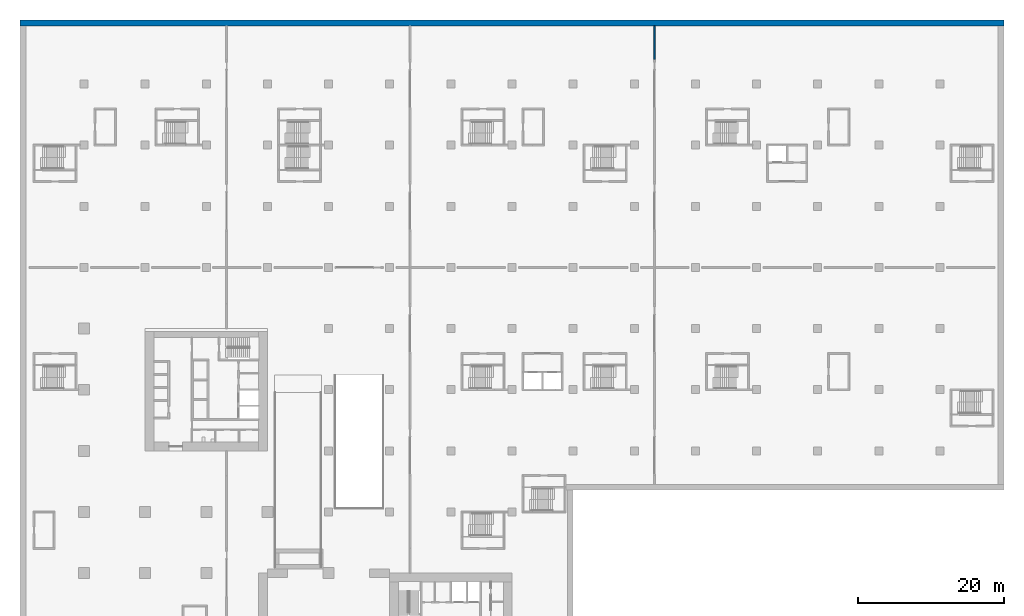
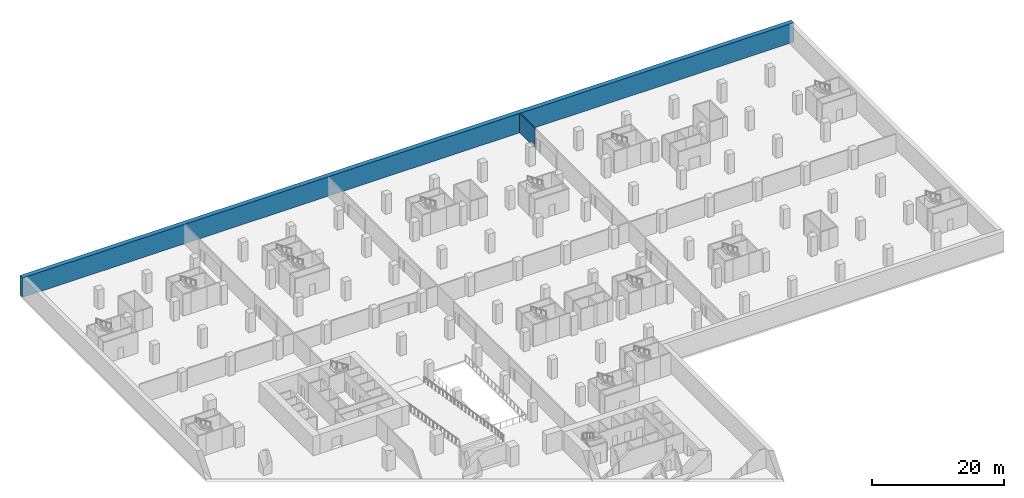
# One storey, part 12 of 18: 2 walls.
"""IFC4 building model written with IfcOpenShell, lengths in metres."""

from ifc_helpers import new_model, si_unit, direction, frame, frame_2d, origin, place, context, subcontext, project, spatial, rectangle, extrude, material, layer, layer_set, type_object, element, save


model = new_model("IFC4")

# Units and contexts
model_context = context("Model", 3, precision=1e-05, world=origin(), true_north=direction((0.0, 1.0)))
body_context = subcontext(model_context, "Body", "Model", "MODEL_VIEW")
ifc_project = project(units=[si_unit("LENGTHUNIT", "METRE"), si_unit("AREAUNIT", "SQUARE_METRE"), si_unit("VOLUMEUNIT", "CUBIC_METRE"), si_unit("PLANEANGLEUNIT", "RADIAN"), si_unit("MASSUNIT", "GRAM", prefix="KILO")], contexts=[model_context])

# Site, building, storey
site_placement = place(None, origin())
site = spatial("IfcSite", under=ifc_project, at=site_placement, CompositionType="ELEMENT")
building_placement = place(site_placement, origin())
building = spatial("IfcBuilding", under=site, at=building_placement, Name="Vermilion Gate Residences", CompositionType="ELEMENT")
storey_placement = place(building_placement, frame((0.0, 0.0, -4.0)))
storey = spatial("IfcBuildingStorey", under=building, at=storey_placement, Name="B1", CompositionType="ELEMENT", Elevation=-4.0)

# Walls
ifc_material_1 = material(Name="Concrete blockwork", Category="masonry")
ifc_layer_1 = layer(ifc_material_1, 0.199951171875)
ifc_layer_set_1 = layer_set([ifc_layer_1], Name="GARAGE FIRE WALL 200 EI 120 (AMENITY)")
wall_type_1 = type_object("IfcWallType", Name="GARAGE FIRE WALL 200 EI 120 (AMENITY)", PredefinedType="PARTITIONING", material=ifc_layer_set_1)
wall_1_placement = place(storey_placement, frame((78.39990234375, 95.800048828125, 0.0), z_axis=(0.0, 0.0, 1.0), x_axis=(0.0, 1.0, 0.0)))
element("IfcWall", 1, at=wall_1_placement, inside=storey, type_object=wall_type_1, Name="Fire compartment wall", PredefinedType="PARTITIONING", context=body_context, shape_type="SweptSolid", body=[
    extrude(rectangle(XDim=4.599853515625, YDim=0.199951171875, at=frame_2d((2.2998046875, 0.0))), origin(), (0.0, 0.0, 1.0), 3.60009765625),
])
ifc_material_2 = material(Name="Concrete C40", Category="concrete")
ifc_layer_2 = layer(ifc_material_2, 0.800048828125)
ifc_layer_set_2 = layer_set([ifc_layer_2], Name="RC DIAPHRAGM WALL 800 C40")
wall_type_2 = type_object("IfcWallType", Name="RC DIAPHRAGM WALL 800 C40", PredefinedType="SOLIDWALL", material=ifc_layer_set_2)
wall_2_placement = place(storey_placement, frame((-8.800048828125, 100.800048828125, 0.0), z_axis=(0.0, 0.0, 1.0), x_axis=(1.0, 0.0, 0.0)))
element("IfcWall", 2, at=wall_2_placement, inside=storey, type_object=wall_type_2, Name="Diaphragm wall B1 3", PredefinedType="SOLIDWALL", context=body_context, shape_type="SweptSolid", body=[
    extrude(rectangle(XDim=135.199951171875, YDim=0.800048828125, at=frame_2d((67.60009765625, 0.0))), origin(), (0.0, 0.0, 1.0), 3.60009765625),
])

save(model, "model.ifc")
